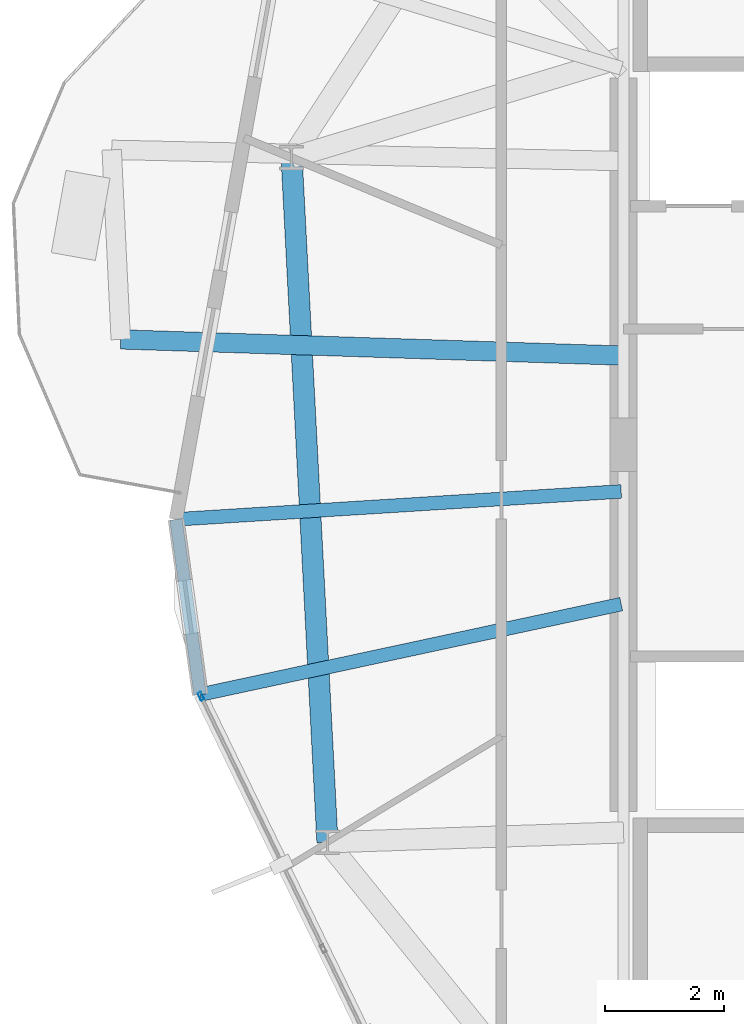
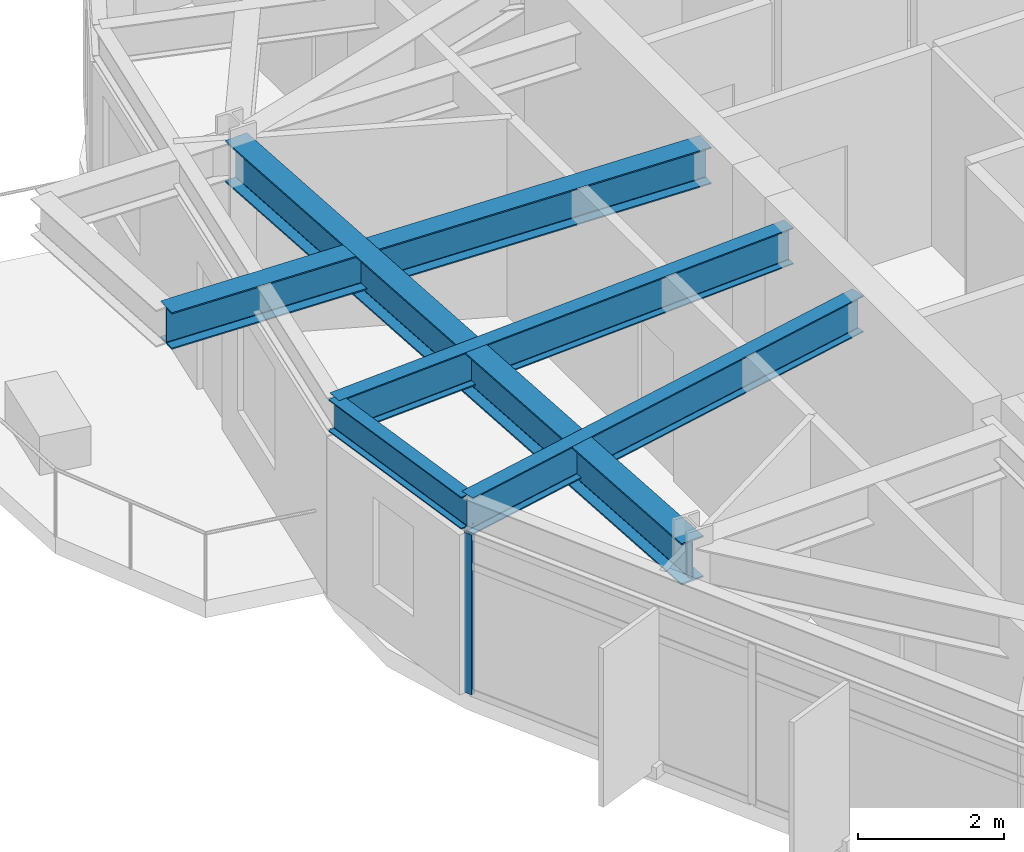
# One storey, part 8 of 26: 5 beams, 1 member, 1 element without a shape of its own.
"""IFC4 building model written with IfcOpenShell, lengths in metres."""

from ifc_helpers import new_model, si_unit, direction, frame, origin, origin_2d, place, context, subcontext, project, spatial, hollow_rectangle, i_section, extrude, material, layer, layer_set, material_profile, profile_set, type_object, element, aggregate, save


model = new_model("IFC4")

# Units and contexts
model_context = context("Model", 3, precision=1e-05, world=origin(), true_north=direction((0.0, 1.0)))
body_context = subcontext(model_context, "Body", "Model", "MODEL_VIEW")
ifc_project = project(units=[si_unit("LENGTHUNIT", "METRE"), si_unit("AREAUNIT", "SQUARE_METRE"), si_unit("VOLUMEUNIT", "CUBIC_METRE"), si_unit("PLANEANGLEUNIT", "RADIAN"), si_unit("MASSUNIT", "GRAM", prefix="KILO")], contexts=[model_context])

# Site, building, storey
site_placement = place(None, origin())
site = spatial("IfcSite", under=ifc_project, at=site_placement, CompositionType="ELEMENT")
building_placement = place(site_placement, origin())
building = spatial("IfcBuilding", under=site, at=building_placement, Name="Soratama Intermodal Tower", CompositionType="ELEMENT")
storey_placement = place(building_placement, frame((0.0, 0.0, 194.199951171875)))
storey = spatial("IfcBuildingStorey", under=building, at=storey_placement, Name="L48", CompositionType="ELEMENT", Elevation=194.199951171875)

# Beams
ifc_material_1 = material(Name="Structural steel ASTM A992 Grade 50", Category="steel")
ifc_material_profile_1 = material_profile(ifc_material_1, i_section(OverallWidth=0.324951171875, OverallDepth=0.615966796875, WebThickness=0.013916015625, FlangeThickness=0.021484375, FilletRadius=0.013916015625, at=origin_2d()), Name="W24X117")
ifc_profile_set_1 = profile_set([ifc_material_profile_1], Name="Structural steel ASTM A992 Grade 50")
beam_type_1 = type_object("IfcBeamType", Name="BM-CANT-W24X117", PredefinedType="BEAM", material=ifc_profile_set_1)
beam_1_placement = place(storey_placement, frame((32.56005859375, 26.49609375, 2.991943359375), z_axis=(-0.99947890449, 0.032278777538, 0.0), x_axis=(-0.032278777538, -0.99947890449, 0.0)))
element("IfcBeam", 1, at=beam_1_placement, inside=storey, type_object=beam_type_1, Name="BM-L48-CANT-3-2", PredefinedType="BEAM", context=body_context, shape_type="SweptSolid", body=[
    extrude(i_section(OverallWidth=0.324951171875, OverallDepth=0.615966796875, WebThickness=0.013916015625, FlangeThickness=0.021484375, FilletRadius=0.013916015625, at=origin_2d()), origin(), (0.0, 0.0, 1.0), 8.3955078125),
])
ifc_material_2 = material(Name="Structural steel ASTM A992 Grade 50", Category="steel")
ifc_material_profile_2 = material_profile(ifc_material_2, i_section(OverallWidth=0.35498046875, OverallDepth=0.695068359375, WebThickness=0.015380859375, FlangeThickness=0.02490234375, FilletRadius=0.01611328125, at=origin_2d()), Name="W27X146")
ifc_profile_set_2 = profile_set([ifc_material_profile_2], Name="Structural steel ASTM A992 Grade 50")
beam_type_2 = type_object("IfcBeamType", Name="BM-RING-W27X146", PredefinedType="BEAM", material=ifc_profile_set_2)
beam_2_placement = place(storey_placement, frame((27.033935546875, 29.81396484375, 2.95263671875), z_axis=(0.052286849724, -0.998632107108, 0.0), x_axis=(0.998632107108, 0.052286849724, 0.0)))
element("IfcBeam", 2, at=beam_2_placement, inside=storey, type_object=beam_type_2, Name="BM-L48-RING-05", PredefinedType="BEAM", context=body_context, shape_type="SweptSolid", body=[
    extrude(i_section(OverallWidth=0.35498046875, OverallDepth=0.695068359375, WebThickness=0.015380859375, FlangeThickness=0.02490234375, FilletRadius=0.01611328125, at=origin_2d()), origin(), (0.0, 0.0, 1.0), 11.49560546875),
])
ifc_material_3 = material(Name="Structural steel ASTM A992 Grade 50", Category="steel")
ifc_material_profile_3 = material_profile(ifc_material_3, i_section(OverallWidth=0.2099609375, OverallDepth=0.537109375, WebThickness=0.010986328125, FlangeThickness=0.017333984375, FilletRadius=0.012939453125, at=origin_2d()), Name="W21X68")
ifc_profile_set_3 = profile_set([ifc_material_profile_3], Name="Structural steel ASTM A992 Grade 50")
beam_type_3 = type_object("IfcBeamType", Name="BM-SPN-W21X68", PredefinedType="SPANDREL", material=ifc_profile_set_3)
beam_3_placement = place(storey_placement, frame((25.093994140625, 23.7490234375, 3.031494140625), z_axis=(0.136890870976, -0.990586134288, 0.0), x_axis=(0.990586134288, 0.136890870976, 0.0)))
element("IfcBeam", 3, at=beam_3_placement, inside=storey, type_object=beam_type_3, Name="BS-L48-CRN04", PredefinedType="SPANDREL", context=body_context, shape_type="SweptSolid", body=[
    extrude(i_section(OverallWidth=0.2099609375, OverallDepth=0.537109375, WebThickness=0.010986328125, FlangeThickness=0.017333984375, FilletRadius=0.012939453125, at=origin_2d()), origin(), (0.0, 0.0, 1.0), 2.9658203125),
])
ifc_material_4 = material(Name="Structural steel ASTM A992 Grade 50", Category="steel")
ifc_material_profile_4 = material_profile(ifc_material_4, i_section(OverallWidth=0.22900390625, OverallDepth=0.612060546875, WebThickness=0.011962890625, FlangeThickness=0.01953125, FilletRadius=0.012939453125, at=origin_2d()), Name="W24X84")
ifc_profile_set_4 = profile_set([ifc_material_profile_4], Name="Structural steel ASTM A992 Grade 50")
beam_type_4 = type_object("IfcBeamType", Name="BM-TIE-W24X84", PredefinedType="BEAM", material=ifc_profile_set_4)
beam_4_placement = place(storey_placement, frame((32.56005859375, 24.218017578125, 2.994140625), z_axis=(-0.998032845777, -0.062693211364, 0.0), x_axis=(0.062693211364, -0.998032845777, 0.0)))
element("IfcBeam", 4, at=beam_4_placement, inside=storey, type_object=beam_type_4, Name="BM-L48-TIE1-04", PredefinedType="BEAM", context=body_context, shape_type="SweptSolid", body=[
    extrude(i_section(OverallWidth=0.22900390625, OverallDepth=0.612060546875, WebThickness=0.011962890625, FlangeThickness=0.01953125, FilletRadius=0.012939453125, at=origin_2d()), origin(), (0.0, 0.0, 1.0), 7.480712890625),
])
beam_5_placement = place(storey_placement, frame((32.56103515625, 22.327880859375, 2.994140625), z_axis=(-0.977695431541, -0.210027719942, 0.0), x_axis=(0.210027719942, -0.977695431541, 0.0)))
element("IfcBeam", 5, at=beam_5_placement, inside=storey, type_object=beam_type_4, Name="BM-L48-TIE0-05", PredefinedType="BEAM", context=body_context, shape_type="SweptSolid", body=[
    extrude(i_section(OverallWidth=0.22900390625, OverallDepth=0.612060546875, WebThickness=0.011962890625, FlangeThickness=0.01953125, FilletRadius=0.012939453125, at=origin_2d()), origin(), (0.0, 0.0, 1.0), 7.22216796875),
])

# Curtain wall, member
ifc_material_5 = material(Name="Double-glazed aluminium curtain wall", Category="aluminium")
ifc_layer = layer(ifc_material_5, 0.159912109375)
ifc_layer_set = layer_set([ifc_layer], Name="Double-glazed aluminium curtain wall")
curtain_wall_type = type_object("IfcCurtainWallType", Name="CW-SYS-5", PredefinedType="NOTDEFINED", material=ifc_layer_set)
curtain_wall_placement = place(storey_placement, origin())
curtain_wall = element("IfcCurtainWall", 6, at=curtain_wall_placement, inside=storey, type_object=curtain_wall_type, Name="L48 Faceted Curtain Wall F05", PredefinedType="NOTDEFINED")
ifc_material_6 = material(Name="Anodised aluminium AA 6063-T6", Category="aluminium")
ifc_material_profile_5 = material_profile(ifc_material_6, hollow_rectangle(XDim=0.06494140625, YDim=0.139892578125, WallThickness=0.0048828125, InnerFilletRadius=0.0048828125, OuterFilletRadius=0.010009765625, at=origin_2d()), Name="CWM140X65X5")
ifc_profile_set_5 = profile_set([ifc_material_profile_5], Name="Anodised aluminium AA 6063-T6")
member_type = type_object("IfcMemberType", Name="MT-CWM-5", PredefinedType="MULLION", material=ifc_profile_set_5)
member_placement = place(storey_placement, frame((25.51318359375, 20.78369140625, 0.0), z_axis=(0.0, 0.0, 1.0), x_axis=(0.899866601949, 0.436165219496, 0.0)))
member = element("IfcMember", 7, at=member_placement, type_object=member_type, Name="CW-5 mullion 1", PredefinedType="MULLION", context=body_context, shape_type="SweptSolid", body=[
    extrude(hollow_rectangle(XDim=0.06494140625, YDim=0.139892578125, WallThickness=0.0048828125, InnerFilletRadius=0.0048828125, OuterFilletRadius=0.010009765625, at=origin_2d()), origin(), (0.0, 0.0, 1.0), 2.678955078125),
])
aggregate(curtain_wall, [member])

save(model, "model.ifc")
